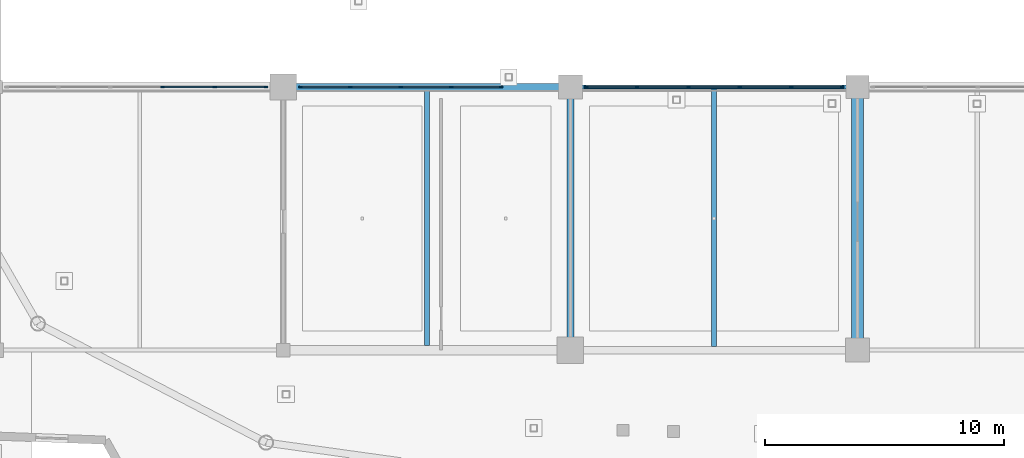
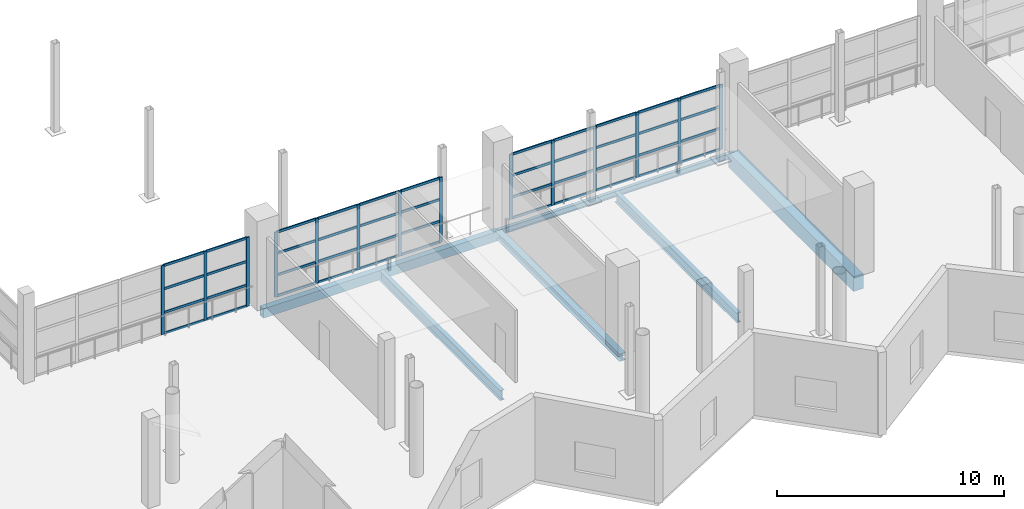
# One storey, part 33 of 143: 58 members, 6 beams, 3 elements without a shape of their own.
"""IFC4 building model written with IfcOpenShell, lengths in metres."""

from ifc_helpers import new_model, si_unit, direction, frame, origin, origin_2d, place, context, subcontext, project, spatial, rectangle, hollow_rectangle, i_section, extrude, material, material_profile, profile_set, type_object, element, aggregate, save


model = new_model("IFC4")

# Units and contexts
model_context = context("Model", 3, precision=1e-05, world=origin(), true_north=direction((0.0, 1.0)))
body_context = subcontext(model_context, "Body", "Model", "MODEL_VIEW")
ifc_project = project(units=[si_unit("LENGTHUNIT", "METRE"), si_unit("AREAUNIT", "SQUARE_METRE"), si_unit("VOLUMEUNIT", "CUBIC_METRE"), si_unit("PLANEANGLEUNIT", "RADIAN"), si_unit("MASSUNIT", "GRAM", prefix="KILO")], contexts=[model_context])

# Site, building, storey
site_placement = place(None, origin())
site = spatial("IfcSite", under=ifc_project, at=site_placement, CompositionType="ELEMENT")
building_placement = place(site_placement, origin())
building = spatial("IfcBuilding", under=site, at=building_placement, Name="Luwafu Chhajja Arena", CompositionType="ELEMENT")
storey_placement = place(building_placement, frame((0.0, 0.0, 5.39990234375)))
storey = spatial("IfcBuildingStorey", under=building, at=storey_placement, Name="L01", CompositionType="ELEMENT", Elevation=5.39990234375)

# Curtain wall, members
ifc_material_1 = material(Name="Anodised bronze aluminium", Category="aluminium")
curtain_wall_type = type_object("IfcCurtainWallType", Name="Bowl Concourse Chord Curtain Wall", PredefinedType="USERDEFINED", material=ifc_material_1)
curtain_wall_1_placement = place(storey_placement, origin())
curtain_wall_1 = element("IfcCurtainWall", 1, at=curtain_wall_1_placement, inside=storey, type_object=curtain_wall_type, Name="L01 Bowl Viewing Curtain Wall CWR-L01-01", ObjectType="CURTAIN WALL", PredefinedType="USERDEFINED")
ifc_material_profile_1 = material_profile(ifc_material_1, rectangle(XDim=0.06005859375, YDim=0.159912109375, at=origin_2d()), Name="CWM 60x160")
ifc_profile_set_1 = profile_set([ifc_material_profile_1], Name="Anodised bronze aluminium")
member_type_1 = type_object("IfcMemberType", Name="Bronze Curtain Wall Mullion 60x160", PredefinedType="MULLION", material=ifc_profile_set_1)
member_1_placement = place(storey_placement, frame((64.951904296875, 22.0, 0.0), z_axis=(0.0, 0.0, 1.0), x_axis=(0.0, 1.0, 0.0)))
member_1 = element("IfcMember", 2, at=member_1_placement, type_object=member_type_1, Name="CW-01 mullion 4", PredefinedType="MULLION", context=body_context, shape_type="SweptSolid", body=[
    extrude(rectangle(XDim=0.06005859375, YDim=0.159912109375, at=origin_2d()), origin(), (0.0, 0.0, 1.0), 3.70654296875),
])
member_2_placement = place(storey_placement, frame((67.131103515625, 22.0, 0.0), z_axis=(0.0, 0.0, 1.0), x_axis=(0.0, 1.0, 0.0)))
member_2 = element("IfcMember", 3, at=member_2_placement, type_object=member_type_1, Name="CW-01 mullion 5", PredefinedType="MULLION", context=body_context, shape_type="SweptSolid", body=[
    extrude(rectangle(XDim=0.06005859375, YDim=0.159912109375, at=origin_2d()), origin(), (0.0, 0.0, 1.0), 3.70654296875),
])
member_3_placement = place(storey_placement, frame((69.280029296875, 22.0, 0.0), z_axis=(0.0, 0.0, 1.0), x_axis=(0.0, 1.0, 0.0)))
member_3 = element("IfcMember", 4, at=member_3_placement, type_object=member_type_1, Name="CW-01 mullion 6", PredefinedType="MULLION", context=body_context, shape_type="SweptSolid", body=[
    extrude(rectangle(XDim=0.06005859375, YDim=0.159912109375, at=origin_2d()), origin(), (0.0, 0.0, 1.0), 3.70654296875),
])

curtain_wall_2_placement = place(storey_placement, origin())
curtain_wall_2 = element("IfcCurtainWall", 5, at=curtain_wall_2_placement, inside=storey, type_object=curtain_wall_type, Name="L01 Bowl Viewing Curtain Wall CWR-L01-02", ObjectType="CURTAIN WALL", PredefinedType="USERDEFINED")
member_4_placement = place(storey_placement, frame((70.719970703125, 22.0, 0.0), z_axis=(0.0, 0.0, 1.0), x_axis=(0.0, 1.0, 0.0)))
member_4 = element("IfcMember", 6, at=member_4_placement, type_object=member_type_1, Name="CW-01 mullion 1", PredefinedType="MULLION", context=body_context, shape_type="SweptSolid", body=[
    extrude(rectangle(XDim=0.06005859375, YDim=0.159912109375, at=origin_2d()), origin(), (0.0, 0.0, 1.0), 3.489990234375),
])
member_5_placement = place(storey_placement, frame((72.80078125, 22.0, 0.0), z_axis=(0.0, 0.0, 1.0), x_axis=(0.0, 1.0, 0.0)))
member_5 = element("IfcMember", 7, at=member_5_placement, type_object=member_type_1, Name="CW-01 mullion 2", PredefinedType="MULLION", context=body_context, shape_type="SweptSolid", body=[
    extrude(rectangle(XDim=0.06005859375, YDim=0.159912109375, at=origin_2d()), origin(), (0.0, 0.0, 1.0), 3.489990234375),
])
member_6_placement = place(storey_placement, frame((74.91162109375, 22.0, 0.0), z_axis=(0.0, 0.0, 1.0), x_axis=(0.0, 1.0, 0.0)))
member_6 = element("IfcMember", 8, at=member_6_placement, type_object=member_type_1, Name="CW-01 mullion 3", PredefinedType="MULLION", context=body_context, shape_type="SweptSolid", body=[
    extrude(rectangle(XDim=0.06005859375, YDim=0.159912109375, at=origin_2d()), origin(), (0.0, 0.0, 1.0), 3.489990234375),
])
member_7_placement = place(storey_placement, frame((77.0224609375, 22.0, 0.0), z_axis=(0.0, 0.0, 1.0), x_axis=(0.0, 1.0, 0.0)))
member_7 = element("IfcMember", 9, at=member_7_placement, type_object=member_type_1, Name="CW-01 mullion 4", PredefinedType="MULLION", context=body_context, shape_type="SweptSolid", body=[
    extrude(rectangle(XDim=0.06005859375, YDim=0.159912109375, at=origin_2d()), origin(), (0.0, 0.0, 1.0), 3.489990234375),
])
member_8_placement = place(storey_placement, frame((79.103515625, 22.0, 0.0), z_axis=(0.0, 0.0, 1.0), x_axis=(0.0, 1.0, 0.0)))
member_8 = element("IfcMember", 10, at=member_8_placement, type_object=member_type_1, Name="CW-01 mullion 5", PredefinedType="MULLION", context=body_context, shape_type="SweptSolid", body=[
    extrude(rectangle(XDim=0.06005859375, YDim=0.159912109375, at=origin_2d()), origin(), (0.0, 0.0, 1.0), 3.489990234375),
])

curtain_wall_3_placement = place(storey_placement, origin())
curtain_wall_3 = element("IfcCurtainWall", 11, at=curtain_wall_3_placement, inside=storey, type_object=curtain_wall_type, Name="L01 Bowl Viewing Curtain Wall CWR-L01-03", ObjectType="CURTAIN WALL", PredefinedType="USERDEFINED")
member_9_placement = place(storey_placement, frame((82.669921875, 22.0, 0.0), z_axis=(0.0, 0.0, 1.0), x_axis=(0.0, 1.0, 0.0)))
member_9 = element("IfcMember", 12, at=member_9_placement, type_object=member_type_1, Name="CW-01 mullion 1", PredefinedType="MULLION", context=body_context, shape_type="SweptSolid", body=[
    extrude(rectangle(XDim=0.06005859375, YDim=0.159912109375, at=origin_2d()), origin(), (0.0, 0.0, 1.0), 3.489990234375),
])
member_10_placement = place(storey_placement, frame((84.7890625, 22.0, 0.0), z_axis=(0.0, 0.0, 1.0), x_axis=(0.0, 1.0, 0.0)))
member_10 = element("IfcMember", 13, at=member_10_placement, type_object=member_type_1, Name="CW-01 mullion 2", PredefinedType="MULLION", context=body_context, shape_type="SweptSolid", body=[
    extrude(rectangle(XDim=0.06005859375, YDim=0.159912109375, at=origin_2d()), origin(), (0.0, 0.0, 1.0), 3.489990234375),
])
member_11_placement = place(storey_placement, frame((86.93798828125, 22.0, 0.0), z_axis=(0.0, 0.0, 1.0), x_axis=(0.0, 1.0, 0.0)))
member_11 = element("IfcMember", 14, at=member_11_placement, type_object=member_type_1, Name="CW-01 mullion 3", PredefinedType="MULLION", context=body_context, shape_type="SweptSolid", body=[
    extrude(rectangle(XDim=0.06005859375, YDim=0.159912109375, at=origin_2d()), origin(), (0.0, 0.0, 1.0), 3.489990234375),
])
member_12_placement = place(storey_placement, frame((89.0869140625, 22.0, 0.0), z_axis=(0.0, 0.0, 1.0), x_axis=(0.0, 1.0, 0.0)))
member_12 = element("IfcMember", 15, at=member_12_placement, type_object=member_type_1, Name="CW-01 mullion 4", PredefinedType="MULLION", context=body_context, shape_type="SweptSolid", body=[
    extrude(rectangle(XDim=0.06005859375, YDim=0.159912109375, at=origin_2d()), origin(), (0.0, 0.0, 1.0), 3.489990234375),
])
member_13_placement = place(storey_placement, frame((91.236083984375, 22.0, 0.0), z_axis=(0.0, 0.0, 1.0), x_axis=(0.0, 1.0, 0.0)))
member_13 = element("IfcMember", 16, at=member_13_placement, type_object=member_type_1, Name="CW-01 mullion 5", PredefinedType="MULLION", context=body_context, shape_type="SweptSolid", body=[
    extrude(rectangle(XDim=0.06005859375, YDim=0.159912109375, at=origin_2d()), origin(), (0.0, 0.0, 1.0), 3.489990234375),
])
member_14_placement = place(storey_placement, frame((93.35498046875, 22.0, 0.0), z_axis=(0.0, 0.0, 1.0), x_axis=(0.0, 1.0, 0.0)))
member_14 = element("IfcMember", 17, at=member_14_placement, type_object=member_type_1, Name="CW-01 mullion 6", PredefinedType="MULLION", context=body_context, shape_type="SweptSolid", body=[
    extrude(rectangle(XDim=0.06005859375, YDim=0.159912109375, at=origin_2d()), origin(), (0.0, 0.0, 1.0), 3.489990234375),
])

# Member
ifc_material_profile_2 = material_profile(ifc_material_1, rectangle(XDim=0.06005859375, YDim=0.1298828125, at=origin_2d()), Name="CWT 60x130")
ifc_profile_set_2 = profile_set([ifc_material_profile_2], Name="Anodised bronze aluminium")
member_type_2 = type_object("IfcMemberType", Name="Bronze Curtain Wall Transom 60x130", PredefinedType="USERDEFINED", material=ifc_profile_set_2)
member_15_placement = place(storey_placement, frame((64.98193359375, 22.0, 0.030029296875), z_axis=(1.0, 0.0, 0.0), x_axis=(0.0, 1.0, 0.0)))
member_15 = element("IfcMember", 18, at=member_15_placement, type_object=member_type_2, Name="CW-01 transom 4.1", ObjectType="TRANSOM", PredefinedType="USERDEFINED", context=body_context, shape_type="SweptSolid", body=[
    extrude(rectangle(XDim=0.06005859375, YDim=0.1298828125, at=origin_2d()), origin(), (0.0, 0.0, 1.0), 2.119140625),
])

member_16_placement = place(storey_placement, frame((64.98193359375, 22.0, 1.150146484375), z_axis=(1.0, 0.0, 0.0), x_axis=(0.0, 1.0, 0.0)))
member_16 = element("IfcMember", 19, at=member_16_placement, type_object=member_type_2, Name="CW-01 transom 4.2", ObjectType="TRANSOM", PredefinedType="USERDEFINED", context=body_context, shape_type="SweptSolid", body=[
    extrude(rectangle(XDim=0.06005859375, YDim=0.1298828125, at=origin_2d()), origin(), (0.0, 0.0, 1.0), 2.119140625),
])

member_17_placement = place(storey_placement, frame((64.98193359375, 22.0, 2.428466796875), z_axis=(1.0, 0.0, 0.0), x_axis=(0.0, 1.0, 0.0)))
member_17 = element("IfcMember", 20, at=member_17_placement, type_object=member_type_2, Name="CW-01 transom 4.3", ObjectType="TRANSOM", PredefinedType="USERDEFINED", context=body_context, shape_type="SweptSolid", body=[
    extrude(rectangle(XDim=0.06005859375, YDim=0.1298828125, at=origin_2d()), origin(), (0.0, 0.0, 1.0), 2.119140625),
])

member_18_placement = place(storey_placement, frame((64.98193359375, 22.0, 3.676513671875), z_axis=(1.0, 0.0, 0.0), x_axis=(0.0, 1.0, 0.0)))
member_18 = element("IfcMember", 21, at=member_18_placement, type_object=member_type_2, Name="CW-01 transom 4.4", ObjectType="TRANSOM", PredefinedType="USERDEFINED", context=body_context, shape_type="SweptSolid", body=[
    extrude(rectangle(XDim=0.06005859375, YDim=0.1298828125, at=origin_2d()), origin(), (0.0, 0.0, 1.0), 2.119140625),
])

member_19_placement = place(storey_placement, frame((67.160888671875, 22.0, 0.030029296875), z_axis=(1.0, 0.0, 0.0), x_axis=(0.0, 1.0, 0.0)))
member_19 = element("IfcMember", 22, at=member_19_placement, type_object=member_type_2, Name="CW-01 transom 5.1", ObjectType="TRANSOM", PredefinedType="USERDEFINED", context=body_context, shape_type="SweptSolid", body=[
    extrude(rectangle(XDim=0.06005859375, YDim=0.1298828125, at=origin_2d()), origin(), (0.0, 0.0, 1.0), 2.089111328125),
])

member_20_placement = place(storey_placement, frame((67.160888671875, 22.0, 1.150146484375), z_axis=(1.0, 0.0, 0.0), x_axis=(0.0, 1.0, 0.0)))
member_20 = element("IfcMember", 23, at=member_20_placement, type_object=member_type_2, Name="CW-01 transom 5.2", ObjectType="TRANSOM", PredefinedType="USERDEFINED", context=body_context, shape_type="SweptSolid", body=[
    extrude(rectangle(XDim=0.06005859375, YDim=0.1298828125, at=origin_2d()), origin(), (0.0, 0.0, 1.0), 2.089111328125),
])

member_21_placement = place(storey_placement, frame((67.160888671875, 22.0, 2.428466796875), z_axis=(1.0, 0.0, 0.0), x_axis=(0.0, 1.0, 0.0)))
member_21 = element("IfcMember", 24, at=member_21_placement, type_object=member_type_2, Name="CW-01 transom 5.3", ObjectType="TRANSOM", PredefinedType="USERDEFINED", context=body_context, shape_type="SweptSolid", body=[
    extrude(rectangle(XDim=0.06005859375, YDim=0.1298828125, at=origin_2d()), origin(), (0.0, 0.0, 1.0), 2.089111328125),
])

member_22_placement = place(storey_placement, frame((67.160888671875, 22.0, 3.676513671875), z_axis=(1.0, 0.0, 0.0), x_axis=(0.0, 1.0, 0.0)))
member_22 = element("IfcMember", 25, at=member_22_placement, type_object=member_type_2, Name="CW-01 transom 5.4", ObjectType="TRANSOM", PredefinedType="USERDEFINED", context=body_context, shape_type="SweptSolid", body=[
    extrude(rectangle(XDim=0.06005859375, YDim=0.1298828125, at=origin_2d()), origin(), (0.0, 0.0, 1.0), 2.089111328125),
])

aggregate(curtain_wall_1, [member_1, member_2, member_3, member_15, member_16, member_17, member_18, member_19, member_20, member_21, member_22])

member_23_placement = place(storey_placement, frame((70.75, 22.0, 0.030029296875), z_axis=(1.0, 0.0, 0.0), x_axis=(0.0, 1.0, 0.0)))
member_23 = element("IfcMember", 26, at=member_23_placement, type_object=member_type_2, Name="CW-01 transom 1.1", ObjectType="TRANSOM", PredefinedType="USERDEFINED", context=body_context, shape_type="SweptSolid", body=[
    extrude(rectangle(XDim=0.06005859375, YDim=0.1298828125, at=origin_2d()), origin(), (0.0, 0.0, 1.0), 2.020751953125),
])

member_24_placement = place(storey_placement, frame((70.75, 22.0, 1.150146484375), z_axis=(1.0, 0.0, 0.0), x_axis=(0.0, 1.0, 0.0)))
member_24 = element("IfcMember", 27, at=member_24_placement, type_object=member_type_2, Name="CW-01 transom 1.2", ObjectType="TRANSOM", PredefinedType="USERDEFINED", context=body_context, shape_type="SweptSolid", body=[
    extrude(rectangle(XDim=0.06005859375, YDim=0.1298828125, at=origin_2d()), origin(), (0.0, 0.0, 1.0), 2.020751953125),
])

member_25_placement = place(storey_placement, frame((70.75, 22.0, 2.320068359375), z_axis=(1.0, 0.0, 0.0), x_axis=(0.0, 1.0, 0.0)))
member_25 = element("IfcMember", 28, at=member_25_placement, type_object=member_type_2, Name="CW-01 transom 1.3", ObjectType="TRANSOM", PredefinedType="USERDEFINED", context=body_context, shape_type="SweptSolid", body=[
    extrude(rectangle(XDim=0.06005859375, YDim=0.1298828125, at=origin_2d()), origin(), (0.0, 0.0, 1.0), 2.020751953125),
])

member_26_placement = place(storey_placement, frame((70.75, 22.0, 3.460205078125), z_axis=(1.0, 0.0, 0.0), x_axis=(0.0, 1.0, 0.0)))
member_26 = element("IfcMember", 29, at=member_26_placement, type_object=member_type_2, Name="CW-01 transom 1.4", ObjectType="TRANSOM", PredefinedType="USERDEFINED", context=body_context, shape_type="SweptSolid", body=[
    extrude(rectangle(XDim=0.06005859375, YDim=0.1298828125, at=origin_2d()), origin(), (0.0, 0.0, 1.0), 2.020751953125),
])

member_27_placement = place(storey_placement, frame((72.830810546875, 22.0, 0.030029296875), z_axis=(1.0, 0.0, 0.0), x_axis=(0.0, 1.0, 0.0)))
member_27 = element("IfcMember", 30, at=member_27_placement, type_object=member_type_2, Name="CW-01 transom 2.1", ObjectType="TRANSOM", PredefinedType="USERDEFINED", context=body_context, shape_type="SweptSolid", body=[
    extrude(rectangle(XDim=0.06005859375, YDim=0.1298828125, at=origin_2d()), origin(), (0.0, 0.0, 1.0), 2.05078125),
])

member_28_placement = place(storey_placement, frame((72.830810546875, 22.0, 1.150146484375), z_axis=(1.0, 0.0, 0.0), x_axis=(0.0, 1.0, 0.0)))
member_28 = element("IfcMember", 31, at=member_28_placement, type_object=member_type_2, Name="CW-01 transom 2.2", ObjectType="TRANSOM", PredefinedType="USERDEFINED", context=body_context, shape_type="SweptSolid", body=[
    extrude(rectangle(XDim=0.06005859375, YDim=0.1298828125, at=origin_2d()), origin(), (0.0, 0.0, 1.0), 2.05078125),
])

member_29_placement = place(storey_placement, frame((72.830810546875, 22.0, 2.320068359375), z_axis=(1.0, 0.0, 0.0), x_axis=(0.0, 1.0, 0.0)))
member_29 = element("IfcMember", 32, at=member_29_placement, type_object=member_type_2, Name="CW-01 transom 2.3", ObjectType="TRANSOM", PredefinedType="USERDEFINED", context=body_context, shape_type="SweptSolid", body=[
    extrude(rectangle(XDim=0.06005859375, YDim=0.1298828125, at=origin_2d()), origin(), (0.0, 0.0, 1.0), 2.05078125),
])

member_30_placement = place(storey_placement, frame((72.830810546875, 22.0, 3.460205078125), z_axis=(1.0, 0.0, 0.0), x_axis=(0.0, 1.0, 0.0)))
member_30 = element("IfcMember", 33, at=member_30_placement, type_object=member_type_2, Name="CW-01 transom 2.4", ObjectType="TRANSOM", PredefinedType="USERDEFINED", context=body_context, shape_type="SweptSolid", body=[
    extrude(rectangle(XDim=0.06005859375, YDim=0.1298828125, at=origin_2d()), origin(), (0.0, 0.0, 1.0), 2.05078125),
])

member_31_placement = place(storey_placement, frame((74.941650390625, 22.0, 0.030029296875), z_axis=(1.0, 0.0, 0.0), x_axis=(0.0, 1.0, 0.0)))
member_31 = element("IfcMember", 34, at=member_31_placement, type_object=member_type_2, Name="CW-01 transom 3.1", ObjectType="TRANSOM", PredefinedType="USERDEFINED", context=body_context, shape_type="SweptSolid", body=[
    extrude(rectangle(XDim=0.06005859375, YDim=0.1298828125, at=origin_2d()), origin(), (0.0, 0.0, 1.0), 2.05078125),
])

member_32_placement = place(storey_placement, frame((74.941650390625, 22.0, 1.150146484375), z_axis=(1.0, 0.0, 0.0), x_axis=(0.0, 1.0, 0.0)))
member_32 = element("IfcMember", 35, at=member_32_placement, type_object=member_type_2, Name="CW-01 transom 3.2", ObjectType="TRANSOM", PredefinedType="USERDEFINED", context=body_context, shape_type="SweptSolid", body=[
    extrude(rectangle(XDim=0.06005859375, YDim=0.1298828125, at=origin_2d()), origin(), (0.0, 0.0, 1.0), 2.05078125),
])

member_33_placement = place(storey_placement, frame((74.941650390625, 22.0, 2.320068359375), z_axis=(1.0, 0.0, 0.0), x_axis=(0.0, 1.0, 0.0)))
member_33 = element("IfcMember", 36, at=member_33_placement, type_object=member_type_2, Name="CW-01 transom 3.3", ObjectType="TRANSOM", PredefinedType="USERDEFINED", context=body_context, shape_type="SweptSolid", body=[
    extrude(rectangle(XDim=0.06005859375, YDim=0.1298828125, at=origin_2d()), origin(), (0.0, 0.0, 1.0), 2.05078125),
])

member_34_placement = place(storey_placement, frame((74.941650390625, 22.0, 3.460205078125), z_axis=(1.0, 0.0, 0.0), x_axis=(0.0, 1.0, 0.0)))
member_34 = element("IfcMember", 37, at=member_34_placement, type_object=member_type_2, Name="CW-01 transom 3.4", ObjectType="TRANSOM", PredefinedType="USERDEFINED", context=body_context, shape_type="SweptSolid", body=[
    extrude(rectangle(XDim=0.06005859375, YDim=0.1298828125, at=origin_2d()), origin(), (0.0, 0.0, 1.0), 2.05078125),
])

member_35_placement = place(storey_placement, frame((77.052490234375, 22.0, 0.030029296875), z_axis=(1.0, 0.0, 0.0), x_axis=(0.0, 1.0, 0.0)))
member_35 = element("IfcMember", 38, at=member_35_placement, type_object=member_type_2, Name="CW-01 transom 4.1", ObjectType="TRANSOM", PredefinedType="USERDEFINED", context=body_context, shape_type="SweptSolid", body=[
    extrude(rectangle(XDim=0.06005859375, YDim=0.1298828125, at=origin_2d()), origin(), (0.0, 0.0, 1.0), 2.02099609375),
])

member_36_placement = place(storey_placement, frame((77.052490234375, 22.0, 1.150146484375), z_axis=(1.0, 0.0, 0.0), x_axis=(0.0, 1.0, 0.0)))
member_36 = element("IfcMember", 39, at=member_36_placement, type_object=member_type_2, Name="CW-01 transom 4.2", ObjectType="TRANSOM", PredefinedType="USERDEFINED", context=body_context, shape_type="SweptSolid", body=[
    extrude(rectangle(XDim=0.06005859375, YDim=0.1298828125, at=origin_2d()), origin(), (0.0, 0.0, 1.0), 2.02099609375),
])

member_37_placement = place(storey_placement, frame((77.052490234375, 22.0, 2.320068359375), z_axis=(1.0, 0.0, 0.0), x_axis=(0.0, 1.0, 0.0)))
member_37 = element("IfcMember", 40, at=member_37_placement, type_object=member_type_2, Name="CW-01 transom 4.3", ObjectType="TRANSOM", PredefinedType="USERDEFINED", context=body_context, shape_type="SweptSolid", body=[
    extrude(rectangle(XDim=0.06005859375, YDim=0.1298828125, at=origin_2d()), origin(), (0.0, 0.0, 1.0), 2.02099609375),
])

member_38_placement = place(storey_placement, frame((77.052490234375, 22.0, 3.460205078125), z_axis=(1.0, 0.0, 0.0), x_axis=(0.0, 1.0, 0.0)))
member_38 = element("IfcMember", 41, at=member_38_placement, type_object=member_type_2, Name="CW-01 transom 4.4", ObjectType="TRANSOM", PredefinedType="USERDEFINED", context=body_context, shape_type="SweptSolid", body=[
    extrude(rectangle(XDim=0.06005859375, YDim=0.1298828125, at=origin_2d()), origin(), (0.0, 0.0, 1.0), 2.02099609375),
])

aggregate(curtain_wall_2, [member_4, member_5, member_6, member_7, member_8, member_23, member_24, member_25, member_26, member_27, member_28, member_29, member_30, member_31, member_32, member_33, member_34, member_35, member_36, member_37, member_38])

member_39_placement = place(storey_placement, frame((82.699951171875, 22.0, 0.030029296875), z_axis=(1.0, 0.0, 0.0), x_axis=(0.0, 1.0, 0.0)))
member_39 = element("IfcMember", 42, at=member_39_placement, type_object=member_type_2, Name="CW-01 transom 1.1", ObjectType="TRANSOM", PredefinedType="USERDEFINED", context=body_context, shape_type="SweptSolid", body=[
    extrude(rectangle(XDim=0.06005859375, YDim=0.1298828125, at=origin_2d()), origin(), (0.0, 0.0, 1.0), 2.05908203125),
])

member_40_placement = place(storey_placement, frame((82.699951171875, 22.0, 1.150146484375), z_axis=(1.0, 0.0, 0.0), x_axis=(0.0, 1.0, 0.0)))
member_40 = element("IfcMember", 43, at=member_40_placement, type_object=member_type_2, Name="CW-01 transom 1.2", ObjectType="TRANSOM", PredefinedType="USERDEFINED", context=body_context, shape_type="SweptSolid", body=[
    extrude(rectangle(XDim=0.06005859375, YDim=0.1298828125, at=origin_2d()), origin(), (0.0, 0.0, 1.0), 2.05908203125),
])

member_41_placement = place(storey_placement, frame((82.699951171875, 22.0, 2.320068359375), z_axis=(1.0, 0.0, 0.0), x_axis=(0.0, 1.0, 0.0)))
member_41 = element("IfcMember", 44, at=member_41_placement, type_object=member_type_2, Name="CW-01 transom 1.3", ObjectType="TRANSOM", PredefinedType="USERDEFINED", context=body_context, shape_type="SweptSolid", body=[
    extrude(rectangle(XDim=0.06005859375, YDim=0.1298828125, at=origin_2d()), origin(), (0.0, 0.0, 1.0), 2.05908203125),
])

member_42_placement = place(storey_placement, frame((82.699951171875, 22.0, 3.460205078125), z_axis=(1.0, 0.0, 0.0), x_axis=(0.0, 1.0, 0.0)))
member_42 = element("IfcMember", 45, at=member_42_placement, type_object=member_type_2, Name="CW-01 transom 1.4", ObjectType="TRANSOM", PredefinedType="USERDEFINED", context=body_context, shape_type="SweptSolid", body=[
    extrude(rectangle(XDim=0.06005859375, YDim=0.1298828125, at=origin_2d()), origin(), (0.0, 0.0, 1.0), 2.05908203125),
])

member_43_placement = place(storey_placement, frame((84.819091796875, 22.0, 0.030029296875), z_axis=(1.0, 0.0, 0.0), x_axis=(0.0, 1.0, 0.0)))
member_43 = element("IfcMember", 46, at=member_43_placement, type_object=member_type_2, Name="CW-01 transom 2.1", ObjectType="TRANSOM", PredefinedType="USERDEFINED", context=body_context, shape_type="SweptSolid", body=[
    extrude(rectangle(XDim=0.06005859375, YDim=0.1298828125, at=origin_2d()), origin(), (0.0, 0.0, 1.0), 2.0888671875),
])

member_44_placement = place(storey_placement, frame((84.819091796875, 22.0, 1.150146484375), z_axis=(1.0, 0.0, 0.0), x_axis=(0.0, 1.0, 0.0)))
member_44 = element("IfcMember", 47, at=member_44_placement, type_object=member_type_2, Name="CW-01 transom 2.2", ObjectType="TRANSOM", PredefinedType="USERDEFINED", context=body_context, shape_type="SweptSolid", body=[
    extrude(rectangle(XDim=0.06005859375, YDim=0.1298828125, at=origin_2d()), origin(), (0.0, 0.0, 1.0), 2.0888671875),
])

member_45_placement = place(storey_placement, frame((84.819091796875, 22.0, 2.320068359375), z_axis=(1.0, 0.0, 0.0), x_axis=(0.0, 1.0, 0.0)))
member_45 = element("IfcMember", 48, at=member_45_placement, type_object=member_type_2, Name="CW-01 transom 2.3", ObjectType="TRANSOM", PredefinedType="USERDEFINED", context=body_context, shape_type="SweptSolid", body=[
    extrude(rectangle(XDim=0.06005859375, YDim=0.1298828125, at=origin_2d()), origin(), (0.0, 0.0, 1.0), 2.0888671875),
])

member_46_placement = place(storey_placement, frame((84.819091796875, 22.0, 3.460205078125), z_axis=(1.0, 0.0, 0.0), x_axis=(0.0, 1.0, 0.0)))
member_46 = element("IfcMember", 49, at=member_46_placement, type_object=member_type_2, Name="CW-01 transom 2.4", ObjectType="TRANSOM", PredefinedType="USERDEFINED", context=body_context, shape_type="SweptSolid", body=[
    extrude(rectangle(XDim=0.06005859375, YDim=0.1298828125, at=origin_2d()), origin(), (0.0, 0.0, 1.0), 2.0888671875),
])

member_47_placement = place(storey_placement, frame((86.968017578125, 22.0, 0.030029296875), z_axis=(1.0, 0.0, 0.0), x_axis=(0.0, 1.0, 0.0)))
member_47 = element("IfcMember", 50, at=member_47_placement, type_object=member_type_2, Name="CW-01 transom 3.1", ObjectType="TRANSOM", PredefinedType="USERDEFINED", context=body_context, shape_type="SweptSolid", body=[
    extrude(rectangle(XDim=0.06005859375, YDim=0.1298828125, at=origin_2d()), origin(), (0.0, 0.0, 1.0), 2.0888671875),
])

member_48_placement = place(storey_placement, frame((86.968017578125, 22.0, 1.150146484375), z_axis=(1.0, 0.0, 0.0), x_axis=(0.0, 1.0, 0.0)))
member_48 = element("IfcMember", 51, at=member_48_placement, type_object=member_type_2, Name="CW-01 transom 3.2", ObjectType="TRANSOM", PredefinedType="USERDEFINED", context=body_context, shape_type="SweptSolid", body=[
    extrude(rectangle(XDim=0.06005859375, YDim=0.1298828125, at=origin_2d()), origin(), (0.0, 0.0, 1.0), 2.0888671875),
])

member_49_placement = place(storey_placement, frame((86.968017578125, 22.0, 2.320068359375), z_axis=(1.0, 0.0, 0.0), x_axis=(0.0, 1.0, 0.0)))
member_49 = element("IfcMember", 52, at=member_49_placement, type_object=member_type_2, Name="CW-01 transom 3.3", ObjectType="TRANSOM", PredefinedType="USERDEFINED", context=body_context, shape_type="SweptSolid", body=[
    extrude(rectangle(XDim=0.06005859375, YDim=0.1298828125, at=origin_2d()), origin(), (0.0, 0.0, 1.0), 2.0888671875),
])

member_50_placement = place(storey_placement, frame((86.968017578125, 22.0, 3.460205078125), z_axis=(1.0, 0.0, 0.0), x_axis=(0.0, 1.0, 0.0)))
member_50 = element("IfcMember", 53, at=member_50_placement, type_object=member_type_2, Name="CW-01 transom 3.4", ObjectType="TRANSOM", PredefinedType="USERDEFINED", context=body_context, shape_type="SweptSolid", body=[
    extrude(rectangle(XDim=0.06005859375, YDim=0.1298828125, at=origin_2d()), origin(), (0.0, 0.0, 1.0), 2.0888671875),
])

member_51_placement = place(storey_placement, frame((89.116943359375, 22.0, 0.030029296875), z_axis=(1.0, 0.0, 0.0), x_axis=(0.0, 1.0, 0.0)))
member_51 = element("IfcMember", 54, at=member_51_placement, type_object=member_type_2, Name="CW-01 transom 4.1", ObjectType="TRANSOM", PredefinedType="USERDEFINED", context=body_context, shape_type="SweptSolid", body=[
    extrude(rectangle(XDim=0.06005859375, YDim=0.1298828125, at=origin_2d()), origin(), (0.0, 0.0, 1.0), 2.089111328125),
])

member_52_placement = place(storey_placement, frame((89.116943359375, 22.0, 1.150146484375), z_axis=(1.0, 0.0, 0.0), x_axis=(0.0, 1.0, 0.0)))
member_52 = element("IfcMember", 55, at=member_52_placement, type_object=member_type_2, Name="CW-01 transom 4.2", ObjectType="TRANSOM", PredefinedType="USERDEFINED", context=body_context, shape_type="SweptSolid", body=[
    extrude(rectangle(XDim=0.06005859375, YDim=0.1298828125, at=origin_2d()), origin(), (0.0, 0.0, 1.0), 2.089111328125),
])

member_53_placement = place(storey_placement, frame((89.116943359375, 22.0, 2.320068359375), z_axis=(1.0, 0.0, 0.0), x_axis=(0.0, 1.0, 0.0)))
member_53 = element("IfcMember", 56, at=member_53_placement, type_object=member_type_2, Name="CW-01 transom 4.3", ObjectType="TRANSOM", PredefinedType="USERDEFINED", context=body_context, shape_type="SweptSolid", body=[
    extrude(rectangle(XDim=0.06005859375, YDim=0.1298828125, at=origin_2d()), origin(), (0.0, 0.0, 1.0), 2.089111328125),
])

member_54_placement = place(storey_placement, frame((89.116943359375, 22.0, 3.460205078125), z_axis=(1.0, 0.0, 0.0), x_axis=(0.0, 1.0, 0.0)))
member_54 = element("IfcMember", 57, at=member_54_placement, type_object=member_type_2, Name="CW-01 transom 4.4", ObjectType="TRANSOM", PredefinedType="USERDEFINED", context=body_context, shape_type="SweptSolid", body=[
    extrude(rectangle(XDim=0.06005859375, YDim=0.1298828125, at=origin_2d()), origin(), (0.0, 0.0, 1.0), 2.089111328125),
])

member_55_placement = place(storey_placement, frame((91.26611328125, 22.0, 0.030029296875), z_axis=(1.0, 0.0, 0.0), x_axis=(0.0, 1.0, 0.0)))
member_55 = element("IfcMember", 58, at=member_55_placement, type_object=member_type_2, Name="CW-01 transom 5.1", ObjectType="TRANSOM", PredefinedType="USERDEFINED", context=body_context, shape_type="SweptSolid", body=[
    extrude(rectangle(XDim=0.06005859375, YDim=0.1298828125, at=origin_2d()), origin(), (0.0, 0.0, 1.0), 2.058837890625),
])

member_56_placement = place(storey_placement, frame((91.26611328125, 22.0, 1.150146484375), z_axis=(1.0, 0.0, 0.0), x_axis=(0.0, 1.0, 0.0)))
member_56 = element("IfcMember", 59, at=member_56_placement, type_object=member_type_2, Name="CW-01 transom 5.2", ObjectType="TRANSOM", PredefinedType="USERDEFINED", context=body_context, shape_type="SweptSolid", body=[
    extrude(rectangle(XDim=0.06005859375, YDim=0.1298828125, at=origin_2d()), origin(), (0.0, 0.0, 1.0), 2.058837890625),
])

member_57_placement = place(storey_placement, frame((91.26611328125, 22.0, 2.320068359375), z_axis=(1.0, 0.0, 0.0), x_axis=(0.0, 1.0, 0.0)))
member_57 = element("IfcMember", 60, at=member_57_placement, type_object=member_type_2, Name="CW-01 transom 5.3", ObjectType="TRANSOM", PredefinedType="USERDEFINED", context=body_context, shape_type="SweptSolid", body=[
    extrude(rectangle(XDim=0.06005859375, YDim=0.1298828125, at=origin_2d()), origin(), (0.0, 0.0, 1.0), 2.058837890625),
])

member_58_placement = place(storey_placement, frame((91.26611328125, 22.0, 3.460205078125), z_axis=(1.0, 0.0, 0.0), x_axis=(0.0, 1.0, 0.0)))
member_58 = element("IfcMember", 61, at=member_58_placement, type_object=member_type_2, Name="CW-01 transom 5.4", ObjectType="TRANSOM", PredefinedType="USERDEFINED", context=body_context, shape_type="SweptSolid", body=[
    extrude(rectangle(XDim=0.06005859375, YDim=0.1298828125, at=origin_2d()), origin(), (0.0, 0.0, 1.0), 2.058837890625),
])

aggregate(curtain_wall_3, [member_9, member_10, member_11, member_12, member_13, member_14, member_39, member_40, member_41, member_42, member_43, member_44, member_45, member_46, member_47, member_48, member_49, member_50, member_51, member_52, member_53, member_54, member_55, member_56, member_57, member_58])

# Beams
ifc_material_2 = material(Name="Steel S355", Category="steel")
ifc_material_profile_3 = material_profile(ifc_material_2, i_section(OverallWidth=0.165771484375, OverallDepth=0.306640625, WebThickness=0.006591796875, FlangeThickness=0.01171875, at=origin_2d()), Name="UB 305x165x46")
ifc_profile_set_3 = profile_set([ifc_material_profile_3], Name="Steel S355")
beam_type_1 = type_object("IfcBeamType", Name="Concourse Edge Spandrel Beam UB 305x165x46", PredefinedType="SPANDREL", material=ifc_profile_set_3)
beam_1_placement = place(storey_placement, frame((82.0, 22.0, -0.483154296875), z_axis=(1.0, 0.0, 0.0), x_axis=(0.0, 1.0, 0.0)))
element("IfcBeam", 62, at=beam_1_placement, inside=storey, type_object=beam_type_1, Name="L01 Grid Beam 8-9/C", PredefinedType="SPANDREL", context=body_context, shape_type="SweptSolid", body=[
    extrude(i_section(OverallWidth=0.165771484375, OverallDepth=0.306640625, WebThickness=0.006591796875, FlangeThickness=0.01171875, at=origin_2d()), origin(), (0.0, 0.0, 1.0), 12.0),
])
ifc_material_profile_4 = material_profile(ifc_material_2, i_section(OverallWidth=0.2099609375, OverallDepth=0.53662109375, WebThickness=0.0107421875, FlangeThickness=0.017333984375, at=origin_2d()), Name="UB 533x210x101")
ifc_profile_set_4 = profile_set([ifc_material_profile_4], Name="Steel S355")
beam_type_2 = type_object("IfcBeamType", Name="Floor Joist UB 533x210x101", PredefinedType="JOIST", material=ifc_profile_set_4)
beam_2_placement = place(storey_placement, frame((76.0, 11.199951171875, -0.59814453125), z_axis=(0.0, 1.0, 0.0), x_axis=(-1.0, 0.0, 0.0)))
element("IfcBeam", 63, at=beam_2_placement, inside=storey, type_object=beam_type_2, Name="L01 Secondary Joist 7-8/B", PredefinedType="JOIST", context=body_context, shape_type="SweptSolid", body=[
    extrude(i_section(OverallWidth=0.2099609375, OverallDepth=0.53662109375, WebThickness=0.0107421875, FlangeThickness=0.017333984375, at=origin_2d()), origin(), (0.0, 0.0, 1.0), 10.650146484375),
])
ifc_material_profile_5 = material_profile(ifc_material_2, i_section(OverallWidth=0.209228515625, OverallDepth=0.533203125, WebThickness=0.010009765625, FlangeThickness=0.015625, at=origin_2d()), Name="UB 533x210x92")
ifc_profile_set_5 = profile_set([ifc_material_profile_5], Name="Steel S355")
beam_type_3 = type_object("IfcBeamType", Name="Floor Joist UB 533x210x92", PredefinedType="JOIST", material=ifc_profile_set_5)
beam_3_placement = place(storey_placement, frame((88.0, 11.14990234375, -0.596435546875), z_axis=(0.0, 1.0, 0.0), x_axis=(-1.0, 0.0, 0.0)))
element("IfcBeam", 64, at=beam_3_placement, inside=storey, type_object=beam_type_3, Name="L01 Secondary Joist 8-9/B", PredefinedType="JOIST", context=body_context, shape_type="SweptSolid", body=[
    extrude(i_section(OverallWidth=0.209228515625, OverallDepth=0.533203125, WebThickness=0.010009765625, FlangeThickness=0.015625, at=origin_2d()), origin(), (0.0, 0.0, 1.0), 10.76708984375),
])
ifc_material_3 = material(Name="Concrete C35/45", Category="concrete")
ifc_material_profile_6 = material_profile(ifc_material_3, rectangle(XDim=0.5, YDim=0.800048828125, at=origin_2d()), Name="RC 500x800")
ifc_profile_set_6 = profile_set([ifc_material_profile_6], Name="Concrete C35/45")
beam_type_4 = type_object("IfcBeamType", Name="Hospitality Primary Beam RC 500x800", PredefinedType="BEAM", material=ifc_profile_set_6)
beam_4_placement = place(storey_placement, frame((94.0, 11.0, -0.72998046875), z_axis=(0.0, 1.0, 0.0), x_axis=(-1.0, 0.0, 0.0)))
element("IfcBeam", 65, at=beam_4_placement, inside=storey, type_object=beam_type_4, Name="L01 Grid Beam 9/B-C", PredefinedType="BEAM", context=body_context, shape_type="SweptSolid", body=[
    extrude(rectangle(XDim=0.5, YDim=0.800048828125, at=origin_2d()), origin(), (0.0, 0.0, 1.0), 11.0),
])
ifc_material_profile_7 = material_profile(ifc_material_2, hollow_rectangle(XDim=0.300048828125, YDim=0.5, WallThickness=0.02001953125, at=origin_2d()), Name="RHS 500x300x20")
ifc_profile_set_7 = profile_set([ifc_material_profile_7], Name="Steel S355")
beam_type_5 = type_object("IfcBeamType", Name="Pleated Drum Spandrel Beam RHS 500x300", PredefinedType="SPANDREL", material=ifc_profile_set_7)
beam_5_placement = place(storey_placement, frame((70.0, 22.0, -0.579833984375), z_axis=(1.0, 0.0, 0.0), x_axis=(0.0, 1.0, 0.0)))
element("IfcBeam", 66, at=beam_5_placement, inside=storey, type_object=beam_type_5, Name="L01 Grid Beam 7-8/C", PredefinedType="SPANDREL", context=body_context, shape_type="SweptSolid", body=[
    extrude(hollow_rectangle(XDim=0.300048828125, YDim=0.5, WallThickness=0.02001953125, at=origin_2d()), origin(), (0.0, 0.0, 1.0), 12.0),
])
ifc_material_profile_8 = material_profile(ifc_material_2, i_section(OverallWidth=0.300048828125, OverallDepth=0.39990234375, WebThickness=0.013427734375, FlangeThickness=0.02392578125, at=origin_2d()), Name="HEB 400")
ifc_profile_set_8 = profile_set([ifc_material_profile_8], Name="Steel S355")
beam_type_6 = type_object("IfcBeamType", Name="Steel Rigging Grid Beam HEB 400", PredefinedType="BEAM", material=ifc_profile_set_8)
beam_6_placement = place(storey_placement, frame((82.0, 11.0, -0.52978515625), z_axis=(0.0, 1.0, 0.0), x_axis=(-1.0, 0.0, 0.0)))
element("IfcBeam", 67, at=beam_6_placement, inside=storey, type_object=beam_type_6, Name="L01 Grid Beam 8/B-C", PredefinedType="BEAM", context=body_context, shape_type="SweptSolid", body=[
    extrude(i_section(OverallWidth=0.300048828125, OverallDepth=0.39990234375, WebThickness=0.013427734375, FlangeThickness=0.02392578125, at=origin_2d()), origin(), (0.0, 0.0, 1.0), 11.0),
])

save(model, "model.ifc")
